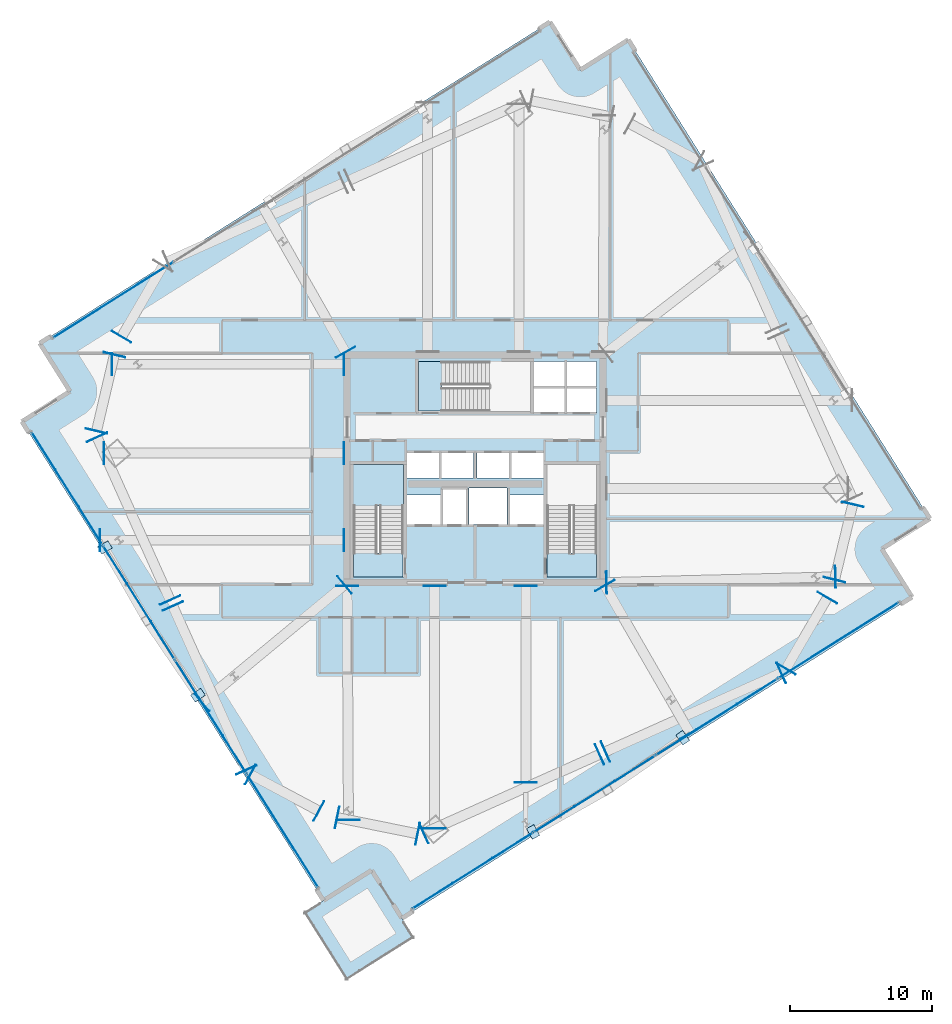
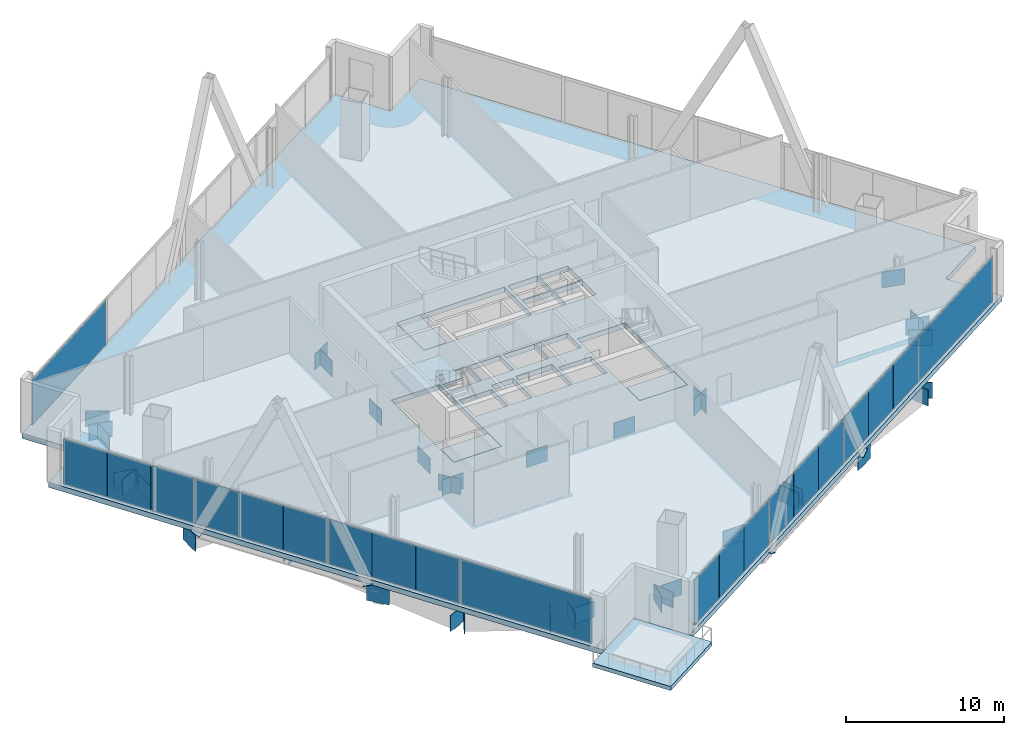
# One storey, part 20 of 29: 63 plates, 6 slabs, 4 elements without a shape of their own.
"""IFC4 building model written with IfcOpenShell, lengths in metres."""

from ifc_helpers import new_model, si_unit, direction, frame, origin, origin_2d, place, context, subcontext, project, spatial, polyline, rectangle, outline, extrude, source, transform, mapped, material, layer, layer_set, type_object, element, aggregate, save


model = new_model("IFC4")

# Units and contexts
model_context = context("Model", 3, precision=1e-05, world=origin(), true_north=direction((0.0, 1.0)))
body_context = subcontext(model_context, "Body", "Model", "MODEL_VIEW")
ifc_project = project(units=[si_unit("LENGTHUNIT", "METRE"), si_unit("AREAUNIT", "SQUARE_METRE"), si_unit("VOLUMEUNIT", "CUBIC_METRE"), si_unit("PLANEANGLEUNIT", "RADIAN"), si_unit("MASSUNIT", "GRAM", prefix="KILO")], contexts=[model_context])

# Site, building, storey
site_placement = place(None, origin())
site = spatial("IfcSite", under=ifc_project, at=site_placement, CompositionType="ELEMENT")
building_placement = place(site_placement, origin())
building = spatial("IfcBuilding", under=site, at=building_placement, Name="Haldenkirk Collegiate Tower", CompositionType="ELEMENT")
storey_placement = place(building_placement, frame((0.0, 0.0, 136.199951171875)))
storey = spatial("IfcBuildingStorey", under=building, at=storey_placement, Name="L33", CompositionType="ELEMENT", Elevation=136.199951171875)

# Slab
ifc_material_1 = material(Name="Concrete f'c 40 MPa", Category="concrete")
ifc_layer_1 = layer(ifc_material_1, 0.39990234375)
ifc_layer_set_1 = layer_set([ifc_layer_1], Name="Concrete f'c 40 MPa")
slab_type_1 = type_object("IfcSlabType", Name="SLB-FLR-400", PredefinedType="FLOOR", material=ifc_layer_set_1)
slab_1_placement = place(storey_placement, frame((0.0, 0.0, -0.39990234375)))
element("IfcSlab", 1, at=slab_1_placement, inside=storey, type_object=slab_type_1, Name="L33 composite structural floor slab", PredefinedType="FLOOR", context=body_context, shape_type="SweptSolid", body=[
    extrude(outline(polyline([(30.849609375, -5.605712890625), (66.728271484375, 16.98828125), (64.5966796875, 20.373046875), (67.981689453125, 22.504638671875), (46.773193359375, 56.18310546875), (43.38818359375, 54.051513671875), (41.2568359375, 57.436279296875), (5.378173828125, 34.84228515625), (7.509765625, 31.45751953125), (4.125, 29.326171875), (25.33349609375, -4.352294921875), (28.71826171875, -2.220703125), (30.849609375, -5.605712890625)]), holes=[polyline([(27.449951171875, 18.39990234375), (30.949951171875, 18.39990234375), (30.949951171875, 26.300048828125), (27.449951171875, 26.300048828125), (27.449951171875, 18.39990234375)]), polyline([(41.050048828125, 18.39990234375), (44.550048828125, 18.39990234375), (44.550048828125, 26.300048828125), (41.050048828125, 26.300048828125), (41.050048828125, 18.39990234375)]), polyline([(32.0, 30.050048828125), (39.89990234375, 30.050048828125), (39.89990234375, 33.550048828125), (32.0, 33.550048828125), (32.0, 30.050048828125)]), polyline([(33.75, 22.10009765625), (35.35009765625, 22.10009765625), (35.35009765625, 24.550048828125), (33.75, 24.550048828125), (33.75, 22.10009765625)]), polyline([(40.14990234375, 29.949951171875), (42.320068359375, 29.949951171875), (42.320068359375, 31.699951171875), (40.14990234375, 31.699951171875), (40.14990234375, 29.949951171875)]), polyline([(42.419921875, 29.949951171875), (44.550048828125, 29.949951171875), (44.550048828125, 31.699951171875), (42.419921875, 31.699951171875), (42.419921875, 29.949951171875)]), polyline([(40.14990234375, 31.800048828125), (42.320068359375, 31.800048828125), (42.320068359375, 33.550048828125), (40.14990234375, 33.550048828125), (40.14990234375, 31.800048828125)]), polyline([(42.419921875, 31.800048828125), (44.550048828125, 31.800048828125), (44.550048828125, 33.550048828125), (42.419921875, 33.550048828125), (42.419921875, 31.800048828125)]), polyline([(31.199951171875, 25.35009765625), (33.47998046875, 25.35009765625), (33.47998046875, 27.14990234375), (31.199951171875, 27.14990234375), (31.199951171875, 25.35009765625)]), polyline([(33.60009765625, 25.35009765625), (35.8798828125, 25.35009765625), (35.8798828125, 27.14990234375), (33.60009765625, 27.14990234375), (33.60009765625, 25.35009765625)]), polyline([(36.1201171875, 25.35009765625), (38.39990234375, 25.35009765625), (38.39990234375, 27.14990234375), (36.1201171875, 27.14990234375), (36.1201171875, 25.35009765625)]), polyline([(38.52001953125, 25.35009765625), (40.800048828125, 25.35009765625), (40.800048828125, 27.14990234375), (38.52001953125, 27.14990234375), (38.52001953125, 25.35009765625)]), polyline([(31.199951171875, 22.10009765625), (33.550048828125, 22.10009765625), (33.550048828125, 24.14990234375), (31.199951171875, 24.14990234375), (31.199951171875, 22.10009765625)]), polyline([(38.449951171875, 22.10009765625), (40.800048828125, 22.10009765625), (40.800048828125, 24.14990234375), (38.449951171875, 24.14990234375), (38.449951171875, 22.10009765625)]), polyline([(35.550048828125, 22.10009765625), (38.25, 22.10009765625), (38.25, 24.64990234375), (35.550048828125, 24.64990234375), (35.550048828125, 22.10009765625)])]), origin(), (0.0, 0.0, 1.0), 0.39990234375),
])

# Stair, slab
stair_type = type_object("IfcStairType", Name="STR-DOGLEG-1650", PredefinedType="HALF_TURN_STAIR", material=ifc_material_1)
stair_placement = place(storey_placement, origin())
stair = element("IfcStair", 2, at=stair_placement, inside=storey, type_object=stair_type, Name="L33 Core Exit Stair ST-1", PredefinedType="HALF_TURN_STAIR")
ifc_layer_2 = layer(ifc_material_1, 0.199951171875)
ifc_layer_set_2 = layer_set([ifc_layer_2], Name="Concrete f'c 40 MPa")
slab_type_2 = type_object("IfcSlabType", Name="SLB-LANDING-200", PredefinedType="LANDING", material=ifc_layer_set_2)
slab_2_placement = place(storey_placement, frame((0.0, 0.0, 2.050048828125)))
slab_2 = element("IfcSlab", 3, at=slab_2_placement, type_object=slab_type_2, Name="ST-1 landing 1", PredefinedType="LANDING", context=body_context, shape_type="SweptSolid", body=[
    extrude(outline(polyline([(30.97509765625, 23.385009765625), (27.425048828125, 23.385009765625), (27.425048828125, 26.324951171875), (30.97509765625, 26.324951171875), (30.97509765625, 23.385009765625)])), origin(), (0.0, 0.0, 1.0), 0.199951171875),
])
aggregate(stair, [slab_2])

# Slabs
ifc_layer_3 = layer(ifc_material_1, 0.31005859375)
ifc_layer_set_3 = layer_set([ifc_layer_3], Name="Concrete f'c 40 MPa")
slab_type_3 = type_object("IfcSlabType", Name="SLB-SKYGARDEN-310", PredefinedType="ROOF", material=ifc_layer_set_3)
slab_3_placement = place(storey_placement, frame((0.0, 0.0, -0.31005859375)))
element("IfcSlab", 4, at=slab_3_placement, inside=storey, type_object=slab_type_3, Name="L33 sky-garden planted terrace slab", PredefinedType="ROOF", context=body_context, shape_type="SweptSolid", body=[
    extrude(outline(polyline([(26.963623046875, -9.943603515625), (31.702392578125, -6.95947265625), (28.71826171875, -2.220703125), (23.9794921875, -5.204833984375), (26.963623046875, -9.943603515625)])), origin(), (0.0, 0.0, 1.0), 0.31005859375),
])
ifc_layer_4 = layer(ifc_material_1, 0.25)
ifc_layer_set_4 = layer_set([ifc_layer_4], Name="Concrete f'c 40 MPa")
slab_type_4 = type_object("IfcSlabType", Name="SLB-STAIRLAND-250", PredefinedType="LANDING", material=ifc_layer_set_4)
slab_4_placement = place(storey_placement, frame((0.0, 0.0, -0.25)))
element("IfcSlab", 5, at=slab_4_placement, inside=storey, type_object=slab_type_4, Name="L33 stair ST1 structural floor landing slab", PredefinedType="LANDING", context=body_context, shape_type="SweptSolid", body=[
    extrude(outline(polyline([(27.4599609375, 18.409912109375), (30.93994140625, 18.409912109375), (30.93994140625, 20.080078125), (27.4599609375, 20.080078125), (27.4599609375, 18.409912109375)])), origin(), (0.0, 0.0, 1.0), 0.25),
])
slab_5_placement = place(storey_placement, frame((0.0, 0.0, -0.25)))
element("IfcSlab", 6, at=slab_5_placement, inside=storey, type_object=slab_type_4, Name="L33 stair ST2 structural floor landing slab", PredefinedType="LANDING", context=body_context, shape_type="SweptSolid", body=[
    extrude(outline(polyline([(41.06005859375, 18.409912109375), (44.5400390625, 18.409912109375), (44.5400390625, 20.080078125), (41.06005859375, 20.080078125), (41.06005859375, 18.409912109375)])), origin(), (0.0, 0.0, 1.0), 0.25),
])
slab_6_placement = place(storey_placement, frame((0.0, 0.0, -0.25)))
element("IfcSlab", 7, at=slab_6_placement, inside=storey, type_object=slab_type_4, Name="L33 stair ST3 structural floor landing slab", PredefinedType="LANDING", context=body_context, shape_type="SweptSolid", body=[
    extrude(outline(polyline([(32.010009765625, 30.06005859375), (33.679931640625, 30.06005859375), (33.679931640625, 33.5400390625), (32.010009765625, 33.5400390625), (32.010009765625, 30.06005859375)])), origin(), (0.0, 0.0, 1.0), 0.25),
])

# Plates
ifc_material_2 = material(Name="Steel ASTM A572 Grade 50", Category="steel")
ifc_layer_5 = layer(ifc_material_2, 0.0400390625)
ifc_layer_set_5 = layer_set([ifc_layer_5], Name="Steel ASTM A572 Grade 50")
plate_type_1 = type_object("IfcPlateType", Name="PLT-CAP-MEGA-1240X980", PredefinedType="USERDEFINED", material=ifc_layer_set_5)
shared_shape_1 = source(origin(), body_context, "Body", "SweptSolid", [
    extrude(rectangle(XDim=1.56005859375, YDim=1.239990234375, at=origin_2d()), origin(), (0.0, 0.0, 1.0), 0.0400390625),
])
for number, where, z_axis, x_axis, name in (
    (8, (26.310546875, 1.477294921875, -1.14990234375), (-0.98007090545, 0.198647980836, 0.0), (-0.198647980836, -0.98007090545, 0.0), "L33 sky-lobby perimeter transfer girder 01 end cap plate 1"),
    (9, (31.93798828125, 0.336669921875, -1.14990234375), (0.98007090545, -0.198647980836, 0.0), (0.198647980836, 0.98007090545, 0.0), "L33 sky-lobby perimeter transfer girder 01 end cap plate 2"),
    (10, (32.408203125, 0.388916015625, -1.14990234375), (-0.912476628545, -0.40912883345, 0.0), (0.40912883345, -0.912476628545, 0.0), "L33 sky-lobby perimeter transfer girder 02 end cap plate 1"),
    (11, (44.733154296875, 5.9150390625, -1.14990234375), (0.912476628545, 0.40912883345, 0.0), (-0.40912883345, 0.912476628545, 0.0), "L33 sky-lobby perimeter transfer girder 02 end cap plate 2"),
    (12, (45.186767578125, 6.118408203125, -1.14990234375), (-0.912472972399, -0.409136987624, 0.0), (0.409136987624, -0.912472972399, 0.0), "L33 sky-lobby perimeter transfer girder 03 end cap plate 1"),
    (13, (57.511474609375, 11.64453125, -1.14990234375), (0.912472972399, 0.409136987624, 0.0), (-0.409136987624, 0.912472972399, 0.0), "L33 sky-lobby perimeter transfer girder 03 end cap plate 2"),
    (14, (57.86328125, 11.9609375, -1.14990234375), (-0.50366309379, -0.863900160872, 0.0), (0.863900160872, -0.50366309379, 0.0), "L33 sky-lobby perimeter transfer girder 04 end cap plate 1"),
    (15, (60.75537109375, 16.92138671875, -1.14990234375), (0.50366309379, 0.863900160872, 0.0), (-0.863900160872, 0.50366309379, 0.0), "L33 sky-lobby perimeter transfer girder 04 end cap plate 2"),
    (16, (61.2783203125, 18.22119140625, -1.14990234375), (-0.234830104007, -0.972036430517, 0.0), (0.972036430517, -0.234830104007, 0.0), "L33 sky-lobby perimeter transfer girder 05 end cap plate 1"),
    (17, (62.55029296875, 23.48583984375, -1.14990234375), (0.234830104007, 0.972036430517, 0.0), (-0.972036430517, 0.234830104007, 0.0), "L33 sky-lobby perimeter transfer girder 05 end cap plate 2"),
    (18, (11.14208984375, 35.306884765625, -1.14990234375), (-0.503656129049, -0.863904221353, 0.0), (0.863904221353, -0.503656129049, 0.0), "L33 sky-lobby perimeter transfer girder 12 end cap plate 2"),
    (19, (10.6240234375, 34.005859375, -1.14990234375), (0.228360894811, 0.973576551546, 0.0), (-0.973576551546, 0.228360894811, 0.0), "L33 sky-lobby perimeter transfer girder 13 end cap plate 1"),
    (20, (9.37451171875, 28.6787109375, -1.14990234375), (-0.228360894811, -0.973576551546, 0.0), (0.973576551546, -0.228360894811, 0.0), "L33 sky-lobby perimeter transfer girder 13 end cap plate 2"),
    (21, (9.41943359375, 28.2099609375, -1.14990234375), (-0.40913207793, 0.912475173804, 0.0), (-0.912475173804, -0.40913207793, 0.0), "L33 sky-lobby perimeter transfer girder 14 end cap plate 1"),
    (22, (14.540771484375, 16.78759765625, -1.14990234375), (0.40913207793, -0.912475173804, 0.0), (0.912475173804, 0.40913207793, 0.0), "L33 sky-lobby perimeter transfer girder 14 end cap plate 2"),
    (23, (14.744140625, 16.333984375, -1.14990234375), (-0.40913207793, 0.912475173804, 0.0), (-0.912475173804, -0.40913207793, 0.0), "L33 sky-lobby perimeter transfer girder 15 end cap plate 1"),
    (24, (19.894287109375, 4.847900390625, -1.14990234375), (0.40913207793, -0.912475173804, 0.0), (0.912475173804, 0.40913207793, 0.0), "L33 sky-lobby perimeter transfer girder 15 end cap plate 2"),
    (25, (20.215087890625, 4.50390625, -1.14990234375), (-0.881986251445, 0.471275134356, 0.0), (-0.471275134356, -0.881986251445, 0.0), "L33 sky-lobby perimeter transfer girder 16 end cap plate 1"),
    (26, (24.9921875, 1.95166015625, -1.14990234375), (0.881986251445, -0.471275134356, 0.0), (0.471275134356, 0.881986251445, 0.0), "L33 sky-lobby perimeter transfer girder 16 end cap plate 2"),
    (27, (33.149169921875, 0.72412109375, -1.14990234375), (0.0, -1.0, 0.0), (1.0, 0.0, 0.0), "L33 sky-lobby radial transfer girder 01 end cap plate 1"),
    (28, (33.149169921875, 17.741943359375, -1.14990234375), (0.0, 1.0, 0.0), (-1.0, 0.0, 0.0), "L33 sky-lobby radial transfer girder 01 end cap plate 2"),
    (29, (9.91845703125, 27.103759765625, -1.14990234375), (-1.0, 0.0, 0.0), (0.0, -1.0, 0.0), "L33 sky-lobby radial transfer girder 04 end cap plate 1"),
    (30, (26.741943359375, 27.103759765625, -1.14990234375), (1.0, 0.0, 0.0), (0.0, 1.0, 0.0), "L33 sky-lobby radial transfer girder 04 end cap plate 2"),
    (31, (39.568603515625, 3.96240234375, -1.14990234375), (0.0, -1.0, 0.0), (1.0, 0.0, 0.0), "L33 sky-lobby radial transfer girder 05 end cap plate 1"),
    (32, (39.568603515625, 17.741943359375, -1.14990234375), (0.0, 1.0, 0.0), (-1.0, 0.0, 0.0), "L33 sky-lobby radial transfer girder 05 end cap plate 2"),
    (33, (51.105712890625, 7.413818359375, -1.14990234375), (0.499626847811, -0.866240736139, 0.0), (0.866240736139, 0.499626847811, 0.0), "L33 sky-lobby radial transfer girder 06 end cap plate 1"),
    (34, (45.12890625, 17.7763671875, -1.14990234375), (-0.499626847811, 0.866240736139, 0.0), (-0.866240736139, -0.499626847811, 0.0), "L33 sky-lobby radial transfer girder 06 end cap plate 2"),
    (35, (61.320068359375, 18.40673828125, -1.14990234375), (0.999689523654, 0.024916988127, 0.0), (-0.024916988127, 0.999689523654, 0.0), "L33 sky-lobby radial transfer girder 07 end cap plate 1"),
    (36, (45.2578125, 18.006591796875, -1.14990234375), (-0.999689523654, -0.024916988127, 0.0), (0.024916988127, -0.999689523654, 0.0), "L33 sky-lobby radial transfer girder 07 end cap plate 2"),
    (37, (26.872802734375, 34.224365234375, -1.14990234375), (0.493737119363, -0.869611210233, 0.0), (0.869611210233, 0.493737119363, 0.0), "L33 sky-lobby radial transfer girder 12 end cap plate 2"),
    (38, (10.4755859375, 33.360107421875, -1.14990234375), (-1.0, 0.0, 0.0), (0.0, -1.0, 0.0), "L33 sky-lobby radial transfer girder 13 end cap plate 1"),
    (39, (26.741943359375, 33.360107421875, -1.14990234375), (1.0, 0.0, 0.0), (0.0, 1.0, 0.0), "L33 sky-lobby radial transfer girder 13 end cap plate 2"),
    (40, (9.6416015625, 20.9833984375, -1.14990234375), (-1.0, 0.0, 0.0), (0.0, -1.0, 0.0), "L33 sky-lobby radial transfer girder 14 end cap plate 1"),
    (41, (26.741943359375, 20.9833984375, -1.14990234375), (1.0, 0.0, 0.0), (0.0, 1.0, 0.0), "L33 sky-lobby radial transfer girder 14 end cap plate 2"),
    (42, (16.82373046875, 9.579345703125, -1.14990234375), (-0.770437966459, -0.637514972246, 0.0), (0.637514972246, -0.770437966459, 0.0), "L33 sky-lobby radial transfer girder 15 end cap plate 1"),
    (43, (26.80126953125, 17.83544921875, -1.14990234375), (0.770437966459, 0.637514972246, 0.0), (-0.637514972246, 0.770437966459, 0.0), "L33 sky-lobby radial transfer girder 15 end cap plate 2"),
    (44, (27.086181640625, 1.322998046875, -1.14990234375), (0.005162998305, -0.999986671635, 0.0), (0.999986671635, 0.005162998305, 0.0), "L33 sky-lobby radial transfer girder 16 end cap plate 1"),
    (45, (27.001220703125, 17.741943359375, -1.14990234375), (-0.005162998305, 0.999986671635, 0.0), (-0.999986671635, -0.005162998305, 0.0), "L33 sky-lobby radial transfer girder 16 end cap plate 2"),
):
    element("IfcPlate", number, at=place(storey_placement, frame(where, z_axis=z_axis, x_axis=x_axis)), inside=storey, type_object=plate_type_1, Name=name, ObjectType="END CAP PLATE", PredefinedType="USERDEFINED", context=body_context, shape_type="MappedRepresentation", body=[
        mapped(shared_shape_1, transform((0.0, 0.0, 0.0), x_axis=(1.0, 0.0, 0.0), y_axis=(0.0, 1.0, 0.0), z_axis=(0.0, 0.0, 1.0), scale=1.0)),
    ])
ifc_layer_6 = layer(ifc_material_2, 0.034912109375)
ifc_layer_set_6 = layer_set([ifc_layer_6], Name="Steel ASTM A572 Grade 50")
plate_type_2 = type_object("IfcPlateType", Name="PLT-CAP-EXT-760X600", PredefinedType="USERDEFINED", material=ifc_layer_set_6)
shared_shape_2 = source(origin(), body_context, "Body", "SweptSolid", [
    extrude(rectangle(XDim=0.860107421875, YDim=0.659912109375, at=origin_2d()), origin(), (0.0, 0.0, 1.0), 0.034912109375),
])
for number, where, z_axis, x_axis, name in (
    (46, (40.07763671875, 0.46533203125, -0.4072265625), (-0.386889094797, -0.217913053394, -0.896008219543), (0.490753059337, -0.871298705813, 3.9565e-07), "Perimeter Mega Brace Z3 L33-L35 SL end cap plate 1"),
    (47, (50.598388671875, 7.0908203125, -0.407470703125), (0.385877880591, 0.268346916961, -0.882659726864), (-0.570936651488, 0.820994116902, -6.62672e-07), "Perimeter Mega Brace Z3 L33-L35 SR end cap plate 1"),
    (48, (9.958984375, 20.474609375, -0.4072265625), (-0.218724941125, 0.381188897394, -0.898250758215), (-0.867356809287, -0.497686814556, -1.34754e-07), "Perimeter Mega Brace Z3 L33-L35 WL end cap plate 1"),
    (49, (16.5009765625, 10.086181640625, -0.407470703125), (0.262757100061, -0.383872146183, -0.885212337099), (0.825199723383, 0.564841054216, 3.82454e-07), "Perimeter Mega Brace Z3 L33-L35 WR end cap plate 1"),
):
    element("IfcPlate", number, at=place(storey_placement, frame(where, z_axis=z_axis, x_axis=x_axis)), inside=storey, type_object=plate_type_2, Name=name, ObjectType="END CAP PLATE", PredefinedType="USERDEFINED", context=body_context, shape_type="MappedRepresentation", body=[
        mapped(shared_shape_2, transform((0.0, 0.0, 0.0), x_axis=(1.0, 0.0, 0.0), y_axis=(0.0, 1.0, 0.0), z_axis=(0.0, 0.0, 1.0), scale=1.0)),
    ])

# Curtain wall, plate
ifc_material_3 = material(Name="Anodised architectural bronze aluminium", Category="aluminium")
curtain_wall_type = type_object("IfcCurtainWallType", Name="CW-SYS4-SKYGARDEN", PredefinedType="USERDEFINED", material=ifc_material_3)
curtain_wall_1_placement = place(storey_placement, origin())
curtain_wall_1 = element("IfcCurtainWall", 50, at=curtain_wall_1_placement, inside=storey, type_object=curtain_wall_type, Name="L33 Sky-garden tall bronze curtain wall", ObjectType="UNITISED CURTAIN WALL", PredefinedType="USERDEFINED")
ifc_material_4 = material(Name="Low-E argon triple insulating glass", Category="glass")
ifc_layer_7 = layer(ifc_material_4, 0.0458984375)
ifc_layer_set_7 = layer_set([ifc_layer_7], Name="Low-E argon triple insulating glass")
plate_type_3 = type_object("IfcPlateType", Name="CW-PNL-04", PredefinedType="CURTAIN_PANEL", material=ifc_layer_set_7)
shared_shape_3 = source(origin(), body_context, "Body", "SweptSolid", [
    extrude(rectangle(XDim=10.014892578125, YDim=0.0458984375, at=origin_2d()), origin(), (0.0, 0.0, 1.0), 3.48095703125),
])
plate_1_placement = place(storey_placement, frame((61.557373046875, 13.944580078125, 0.090087890625), z_axis=(0.0, 0.0, 1.0), x_axis=(-0.846193721624, -0.532875393956, 0.0)))
plate_1 = element("IfcPlate", 51, at=plate_1_placement, type_object=plate_type_3, Name="CW-04 panel 1.1", PredefinedType="CURTAIN_PANEL", context=body_context, shape_type="MappedRepresentation", body=[
    mapped(shared_shape_3, transform((0.0, 0.0, 0.0), x_axis=(1.0, 0.0, 0.0), y_axis=(0.0, 1.0, 0.0), z_axis=(0.0, 0.0, 1.0), scale=1.0)),
])

curtain_wall_2_placement = place(storey_placement, origin())
curtain_wall_2 = element("IfcCurtainWall", 52, at=curtain_wall_2_placement, inside=storey, type_object=curtain_wall_type, Name="L33 Sky-garden tall bronze curtain wall", ObjectType="UNITISED CURTAIN WALL", PredefinedType="USERDEFINED")
plate_2_placement = place(storey_placement, frame((10.549072265625, 37.885986328125, 0.090087890625), z_axis=(0.0, 0.0, 1.0), x_axis=(0.846192610993, 0.532877157609, 0.0)))
plate_2 = element("IfcPlate", 53, at=plate_2_placement, type_object=plate_type_3, Name="CW-04 panel 1.1", PredefinedType="CURTAIN_PANEL", context=body_context, shape_type="MappedRepresentation", body=[
    mapped(shared_shape_3, transform((0.0, 0.0, 0.0), x_axis=(1.0, 0.0, 0.0), y_axis=(0.0, 1.0, 0.0), z_axis=(0.0, 0.0, 1.0), scale=1.0)),
])
aggregate(curtain_wall_2, [plate_2])

# Plate
shared_shape_4 = source(origin(), body_context, "Body", "SweptSolid", [
    extrude(rectangle(XDim=3.3408203125, YDim=0.0458984375, at=origin_2d()), origin(), (0.0, 0.0, 1.0), 3.48095703125),
])
plate_3_placement = place(storey_placement, frame((55.830322265625, 10.338134765625, 0.090087890625), z_axis=(0.0, 0.0, 1.0), x_axis=(-0.846193721624, -0.532875393956, 0.0)))
plate_3 = element("IfcPlate", 54, at=plate_3_placement, type_object=plate_type_3, Name="CW-04 panel 2.1a", PredefinedType="CURTAIN_PANEL", context=body_context, shape_type="MappedRepresentation", body=[
    mapped(shared_shape_4, transform((0.0, 0.0, 0.0), x_axis=(1.0, 0.0, 0.0), y_axis=(0.0, 1.0, 0.0), z_axis=(0.0, 0.0, 1.0), scale=1.0)),
])

ifc_material_5 = material(Name="Bronze-anodised insulated aluminium spandrel panel", Category="aluminium")
ifc_layer_8 = layer(ifc_material_5, 0.0458984375)
ifc_layer_set_8 = layer_set([ifc_layer_8], Name="Bronze-anodised insulated aluminium spandrel panel")
plate_type_4 = type_object("IfcPlateType", Name="CW-SPD-04", PredefinedType="CURTAIN_PANEL", material=ifc_layer_set_8)
plate_4_placement = place(storey_placement, frame((50.144775390625, 6.7578125, 0.090087890625), z_axis=(0.0, 0.0, 1.0), x_axis=(-0.846193721624, -0.532875393956, 0.0)))
plate_4 = element("IfcPlate", 55, at=plate_4_placement, type_object=plate_type_4, Name="CW-04 spandrel panel 2.1c", PredefinedType="CURTAIN_PANEL", context=body_context, shape_type="MappedRepresentation", body=[
    mapped(shared_shape_4, transform((0.0, 0.0, 0.0), x_axis=(1.0, 0.0, 0.0), y_axis=(0.0, 1.0, 0.0), z_axis=(0.0, 0.0, 1.0), scale=1.0)),
])

plate_5_placement = place(storey_placement, frame((47.241455078125, 4.929443359375, 0.090087890625), z_axis=(0.0, 0.0, 1.0), x_axis=(-0.846193721624, -0.532875393956, 0.0)))
plate_5 = element("IfcPlate", 56, at=plate_5_placement, type_object=plate_type_4, Name="CW-04 spandrel panel 3.1a", PredefinedType="CURTAIN_PANEL", context=body_context, shape_type="MappedRepresentation", body=[
    mapped(shared_shape_4, transform((0.0, 0.0, 0.0), x_axis=(1.0, 0.0, 0.0), y_axis=(0.0, 1.0, 0.0), z_axis=(0.0, 0.0, 1.0), scale=1.0)),
])

plate_6_placement = place(storey_placement, frame((41.555908203125, 1.34912109375, 0.090087890625), z_axis=(0.0, 0.0, 1.0), x_axis=(-0.846193721624, -0.532875393956, 0.0)))
plate_6 = element("IfcPlate", 57, at=plate_6_placement, type_object=plate_type_4, Name="CW-04 spandrel panel 3.1c", PredefinedType="CURTAIN_PANEL", context=body_context, shape_type="MappedRepresentation", body=[
    mapped(shared_shape_4, transform((0.0, 0.0, 0.0), x_axis=(1.0, 0.0, 0.0), y_axis=(0.0, 1.0, 0.0), z_axis=(0.0, 0.0, 1.0), scale=1.0)),
])

shared_shape_5 = source(origin(), body_context, "Body", "SweptSolid", [
    extrude(rectangle(XDim=3.328369140625, YDim=0.0458984375, at=origin_2d()), origin(), (0.0, 0.0, 1.0), 3.48095703125),
])
plate_7_placement = place(storey_placement, frame((52.987548828125, 8.548095703125, 0.090087890625), z_axis=(0.0, 0.0, 1.0), x_axis=(-0.846193721624, -0.532875393956, 0.0)))
plate_7 = element("IfcPlate", 58, at=plate_7_placement, type_object=plate_type_3, Name="CW-04 panel 2.1b", PredefinedType="CURTAIN_PANEL", context=body_context, shape_type="MappedRepresentation", body=[
    mapped(shared_shape_5, transform((0.0, 0.0, 0.0), x_axis=(1.0, 0.0, 0.0), y_axis=(0.0, 1.0, 0.0), z_axis=(0.0, 0.0, 1.0), scale=1.0)),
])

plate_8_placement = place(storey_placement, frame((44.398681640625, 3.139404296875, 0.090087890625), z_axis=(0.0, 0.0, 1.0), x_axis=(-0.846193721624, -0.532875393956, 0.0)))
plate_8 = element("IfcPlate", 59, at=plate_8_placement, type_object=plate_type_3, Name="CW-04 panel 3.1b", PredefinedType="CURTAIN_PANEL", context=body_context, shape_type="MappedRepresentation", body=[
    mapped(shared_shape_5, transform((0.0, 0.0, 0.0), x_axis=(1.0, 0.0, 0.0), y_axis=(0.0, 1.0, 0.0), z_axis=(0.0, 0.0, 1.0), scale=1.0)),
])

shared_shape_6 = source(origin(), body_context, "Body", "SweptSolid", [
    extrude(rectangle(XDim=3.32568359375, YDim=0.0458984375, at=origin_2d()), origin(), (0.0, 0.0, 1.0), 3.48095703125),
])
plate_9_placement = place(storey_placement, frame((38.658935546875, -0.47509765625, 0.090087890625), z_axis=(0.0, 0.0, 1.0), x_axis=(-0.846193721624, -0.532875393956, 0.0)))
plate_9 = element("IfcPlate", 60, at=plate_9_placement, type_object=plate_type_4, Name="CW-04 spandrel panel 4.1a", PredefinedType="CURTAIN_PANEL", context=body_context, shape_type="MappedRepresentation", body=[
    mapped(shared_shape_6, transform((0.0, 0.0, 0.0), x_axis=(1.0, 0.0, 0.0), y_axis=(0.0, 1.0, 0.0), z_axis=(0.0, 0.0, 1.0), scale=1.0)),
])

plate_10_placement = place(storey_placement, frame((32.998779296875, -4.03955078125, 0.090087890625), z_axis=(0.0, 0.0, 1.0), x_axis=(-0.846193721624, -0.532875393956, 0.0)))
plate_10 = element("IfcPlate", 61, at=plate_10_placement, type_object=plate_type_3, Name="CW-04 panel 4.1c", PredefinedType="CURTAIN_PANEL", context=body_context, shape_type="MappedRepresentation", body=[
    mapped(shared_shape_6, transform((0.0, 0.0, 0.0), x_axis=(1.0, 0.0, 0.0), y_axis=(0.0, 1.0, 0.0), z_axis=(0.0, 0.0, 1.0), scale=1.0)),
])

shared_shape_7 = source(origin(), body_context, "Body", "SweptSolid", [
    extrude(rectangle(XDim=3.313232421875, YDim=0.0458984375, at=origin_2d()), origin(), (0.0, 0.0, 1.0), 3.48095703125),
])
plate_11_placement = place(storey_placement, frame((35.828857421875, -2.25732421875, 0.090087890625), z_axis=(0.0, 0.0, 1.0), x_axis=(-0.846193721624, -0.532875393956, 0.0)))
plate_11 = element("IfcPlate", 62, at=plate_11_placement, type_object=plate_type_3, Name="CW-04 panel 4.1b", PredefinedType="CURTAIN_PANEL", context=body_context, shape_type="MappedRepresentation", body=[
    mapped(shared_shape_7, transform((0.0, 0.0, 0.0), x_axis=(1.0, 0.0, 0.0), y_axis=(0.0, 1.0, 0.0), z_axis=(0.0, 0.0, 1.0), scale=1.0)),
])

aggregate(curtain_wall_1, [plate_1, plate_3, plate_7, plate_4, plate_5, plate_8, plate_6, plate_9, plate_11, plate_10])

# Curtain wall, plates
curtain_wall_3_placement = place(storey_placement, origin())
curtain_wall_3 = element("IfcCurtainWall", 63, at=curtain_wall_3_placement, inside=storey, type_object=curtain_wall_type, Name="L33 Sky-garden tall bronze curtain wall", ObjectType="UNITISED CURTAIN WALL", PredefinedType="USERDEFINED")
shared_shape_8 = source(origin(), body_context, "Body", "SweptSolid", [
    extrude(rectangle(XDim=9.364990234375, YDim=0.0458984375, at=origin_2d()), origin(), (0.0, 0.0, 1.0), 3.48095703125),
])
plate_12_placement = place(storey_placement, frame((22.463134765625, 0.543701171875, 0.090087890625), z_axis=(0.0, 0.0, 1.0), x_axis=(-0.532877969496, 0.846192099718, 0.0)))
plate_12 = element("IfcPlate", 64, at=plate_12_placement, type_object=plate_type_3, Name="CW-04 panel 1.1", PredefinedType="CURTAIN_PANEL", context=body_context, shape_type="MappedRepresentation", body=[
    mapped(shared_shape_8, transform((0.0, 0.0, 0.0), x_axis=(1.0, 0.0, 0.0), y_axis=(0.0, 1.0, 0.0), z_axis=(0.0, 0.0, 1.0), scale=1.0)),
])
shared_shape_9 = source(origin(), body_context, "Body", "SweptSolid", [
    extrude(rectangle(XDim=3.124267578125, YDim=0.0458984375, at=origin_2d()), origin(), (0.0, 0.0, 1.0), 3.48095703125),
])
plate_13_placement = place(storey_placement, frame((19.08740234375, 5.90380859375, 0.090087890625), z_axis=(0.0, 0.0, 1.0), x_axis=(-0.532877969496, 0.846192099718, 0.0)))
plate_13 = element("IfcPlate", 65, at=plate_13_placement, type_object=plate_type_3, Name="CW-04 panel 2.1a", PredefinedType="CURTAIN_PANEL", context=body_context, shape_type="MappedRepresentation", body=[
    mapped(shared_shape_9, transform((0.0, 0.0, 0.0), x_axis=(1.0, 0.0, 0.0), y_axis=(0.0, 1.0, 0.0), z_axis=(0.0, 0.0, 1.0), scale=1.0)),
])
plate_14_placement = place(storey_placement, frame((15.73779296875, 11.222900390625, 0.090087890625), z_axis=(0.0, 0.0, 1.0), x_axis=(-0.532877969496, 0.846192099718, 0.0)))
plate_14 = element("IfcPlate", 66, at=plate_14_placement, type_object=plate_type_4, Name="CW-04 spandrel panel 2.1c", PredefinedType="CURTAIN_PANEL", context=body_context, shape_type="MappedRepresentation", body=[
    mapped(shared_shape_9, transform((0.0, 0.0, 0.0), x_axis=(1.0, 0.0, 0.0), y_axis=(0.0, 1.0, 0.0), z_axis=(0.0, 0.0, 1.0), scale=1.0)),
])
plate_15_placement = place(storey_placement, frame((14.025146484375, 13.942626953125, 0.090087890625), z_axis=(0.0, 0.0, 1.0), x_axis=(-0.532877969496, 0.846192099718, 0.0)))
plate_15 = element("IfcPlate", 67, at=plate_15_placement, type_object=plate_type_3, Name="CW-04 panel 3.1a", PredefinedType="CURTAIN_PANEL", context=body_context, shape_type="MappedRepresentation", body=[
    mapped(shared_shape_9, transform((0.0, 0.0, 0.0), x_axis=(1.0, 0.0, 0.0), y_axis=(0.0, 1.0, 0.0), z_axis=(0.0, 0.0, 1.0), scale=1.0)),
])
plate_16_placement = place(storey_placement, frame((10.675537109375, 19.26171875, 0.090087890625), z_axis=(0.0, 0.0, 1.0), x_axis=(-0.532877969496, 0.846192099718, 0.0)))
plate_16 = element("IfcPlate", 68, at=plate_16_placement, type_object=plate_type_4, Name="CW-04 spandrel panel 3.1c", PredefinedType="CURTAIN_PANEL", context=body_context, shape_type="MappedRepresentation", body=[
    mapped(shared_shape_9, transform((0.0, 0.0, 0.0), x_axis=(1.0, 0.0, 0.0), y_axis=(0.0, 1.0, 0.0), z_axis=(0.0, 0.0, 1.0), scale=1.0)),
])
shared_shape_10 = source(origin(), body_context, "Body", "SweptSolid", [
    extrude(rectangle(XDim=3.11181640625, YDim=0.0458984375, at=origin_2d()), origin(), (0.0, 0.0, 1.0), 3.48095703125),
])
plate_17_placement = place(storey_placement, frame((17.41259765625, 8.5634765625, 0.090087890625), z_axis=(0.0, 0.0, 1.0), x_axis=(-0.532877969496, 0.846192099718, 0.0)))
plate_17 = element("IfcPlate", 69, at=plate_17_placement, type_object=plate_type_4, Name="CW-04 spandrel panel 2.1b", PredefinedType="CURTAIN_PANEL", context=body_context, shape_type="MappedRepresentation", body=[
    mapped(shared_shape_10, transform((0.0, 0.0, 0.0), x_axis=(1.0, 0.0, 0.0), y_axis=(0.0, 1.0, 0.0), z_axis=(0.0, 0.0, 1.0), scale=1.0)),
])
plate_18_placement = place(storey_placement, frame((12.350341796875, 16.602294921875, 0.090087890625), z_axis=(0.0, 0.0, 1.0), x_axis=(-0.532877969496, 0.846192099718, 0.0)))
plate_18 = element("IfcPlate", 70, at=plate_18_placement, type_object=plate_type_3, Name="CW-04 panel 3.1b", PredefinedType="CURTAIN_PANEL", context=body_context, shape_type="MappedRepresentation", body=[
    mapped(shared_shape_10, transform((0.0, 0.0, 0.0), x_axis=(1.0, 0.0, 0.0), y_axis=(0.0, 1.0, 0.0), z_axis=(0.0, 0.0, 1.0), scale=1.0)),
])
shared_shape_11 = source(origin(), body_context, "Body", "SweptSolid", [
    extrude(rectangle(XDim=3.109130859375, YDim=0.0458984375, at=origin_2d()), origin(), (0.0, 0.0, 1.0), 3.48095703125),
])
plate_19_placement = place(storey_placement, frame((8.966796875, 21.97509765625, 0.090087890625), z_axis=(0.0, 0.0, 1.0), x_axis=(-0.532877969496, 0.846192099718, 0.0)))
plate_19 = element("IfcPlate", 71, at=plate_19_placement, type_object=plate_type_4, Name="CW-04 spandrel panel 4.1a", PredefinedType="CURTAIN_PANEL", context=body_context, shape_type="MappedRepresentation", body=[
    mapped(shared_shape_11, transform((0.0, 0.0, 0.0), x_axis=(1.0, 0.0, 0.0), y_axis=(0.0, 1.0, 0.0), z_axis=(0.0, 0.0, 1.0), scale=1.0)),
])
plate_20_placement = place(storey_placement, frame((5.63330078125, 27.268798828125, 0.090087890625), z_axis=(0.0, 0.0, 1.0), x_axis=(-0.532877969496, 0.846192099718, 0.0)))
plate_20 = element("IfcPlate", 72, at=plate_20_placement, type_object=plate_type_3, Name="CW-04 panel 4.1c", PredefinedType="CURTAIN_PANEL", context=body_context, shape_type="MappedRepresentation", body=[
    mapped(shared_shape_11, transform((0.0, 0.0, 0.0), x_axis=(1.0, 0.0, 0.0), y_axis=(0.0, 1.0, 0.0), z_axis=(0.0, 0.0, 1.0), scale=1.0)),
])
shared_shape_12 = source(origin(), body_context, "Body", "SweptSolid", [
    extrude(rectangle(XDim=3.0966796875, YDim=0.0458984375, at=origin_2d()), origin(), (0.0, 0.0, 1.0), 3.48095703125),
])
plate_21_placement = place(storey_placement, frame((7.300048828125, 24.6220703125, 0.090087890625), z_axis=(0.0, 0.0, 1.0), x_axis=(-0.532877969496, 0.846192099718, 0.0)))
plate_21 = element("IfcPlate", 73, at=plate_21_placement, type_object=plate_type_3, Name="CW-04 panel 4.1b", PredefinedType="CURTAIN_PANEL", context=body_context, shape_type="MappedRepresentation", body=[
    mapped(shared_shape_12, transform((0.0, 0.0, 0.0), x_axis=(1.0, 0.0, 0.0), y_axis=(0.0, 1.0, 0.0), z_axis=(0.0, 0.0, 1.0), scale=1.0)),
])
aggregate(curtain_wall_3, [plate_12, plate_13, plate_17, plate_14, plate_15, plate_18, plate_16, plate_19, plate_21, plate_20])

save(model, "model.ifc")
